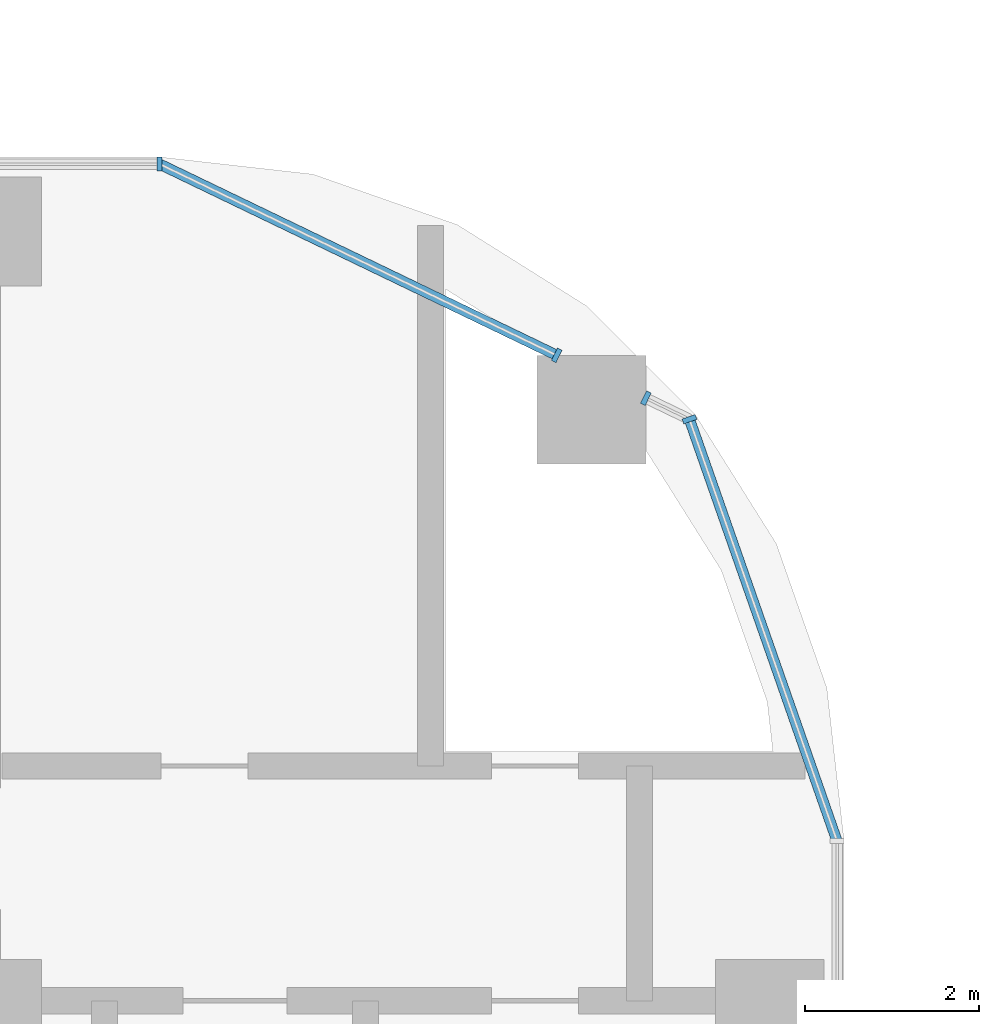
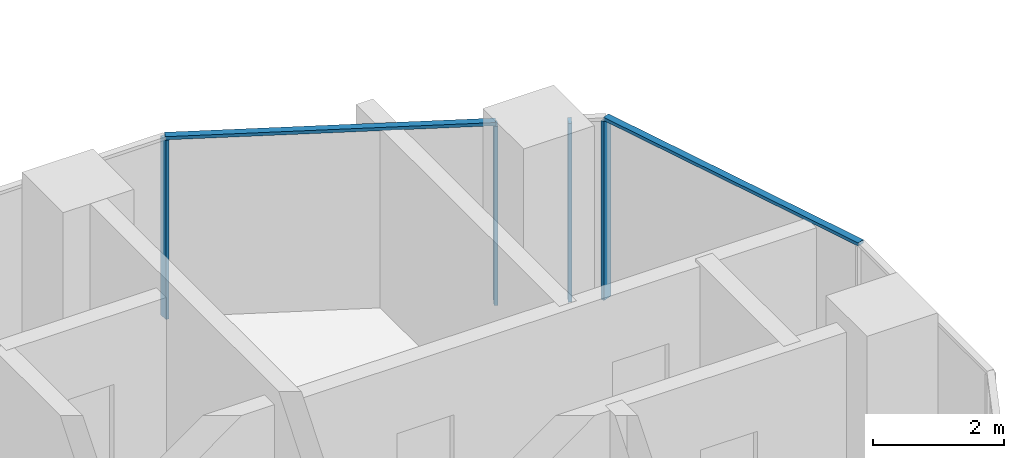
# One storey, part 5 of 35: 6 members, 3 elements without a shape of their own.
"""IFC4 building model written with IfcOpenShell, lengths in metres."""

from ifc_helpers import new_model, si_unit, direction, frame, origin, origin_2d, place, context, subcontext, project, spatial, rectangle, extrude, material, material_profile, profile_set, type_object, element, aggregate, save


model = new_model("IFC4")

# Units and contexts
model_context = context("Model", 3, precision=1e-05, world=origin(), true_north=direction((0.0, 1.0)))
body_context = subcontext(model_context, "Body", "Model", "MODEL_VIEW")
ifc_project = project(units=[si_unit("LENGTHUNIT", "METRE"), si_unit("AREAUNIT", "SQUARE_METRE"), si_unit("VOLUMEUNIT", "CUBIC_METRE"), si_unit("PLANEANGLEUNIT", "RADIAN"), si_unit("MASSUNIT", "GRAM", prefix="KILO")], contexts=[model_context])

# Site, building, storey
site_placement = place(None, origin())
site = spatial("IfcSite", under=ifc_project, at=site_placement, CompositionType="ELEMENT")
building_placement = place(site_placement, origin())
building = spatial("IfcBuilding", under=site, at=building_placement, Name="Ogive Portal Towers", CompositionType="ELEMENT")
storey_placement = place(building_placement, frame((0.0, 0.0, 94.5)))
storey = spatial("IfcBuildingStorey", under=building, at=storey_placement, Name="L22", CompositionType="ELEMENT", Elevation=94.5)

# Curtain wall, member
ifc_material_1 = material(Name="Glass, clear low-iron insulated glazing", Category="glass")
curtain_wall_type = type_object("IfcCurtainWallType", Name="CW FRONT RIBBON 4500", PredefinedType="NOTDEFINED", material=ifc_material_1)
curtain_wall_1_placement = place(storey_placement, origin())
curtain_wall_1 = element("IfcCurtainWall", 1, at=curtain_wall_1_placement, inside=storey, type_object=curtain_wall_type, Name="A:L22:f11:cw0", PredefinedType="NOTDEFINED")
ifc_material_2 = material(Name="Aluminium 6063 anodised", Category="aluminium")
ifc_material_profile_1 = material_profile(ifc_material_2, rectangle(XDim=0.159912109375, YDim=0.06005859375, at=origin_2d()), Name="AL 60x160")
ifc_profile_set_1 = profile_set([ifc_material_profile_1], Name="Aluminium 6063 anodised")
member_type_1 = type_object("IfcMemberType", Name="CW MULLION 60x160", PredefinedType="MULLION", material=ifc_profile_set_1)
member_1_placement = place(storey_placement, frame((87.481689453125, 40.27490234375, 0.0), z_axis=(0.0, 0.0, 1.0), x_axis=(0.0, -1.0, 0.0)))
member_1 = element("IfcMember", 2, at=member_1_placement, type_object=member_type_1, Name="mullion", PredefinedType="MULLION", context=body_context, shape_type="SweptSolid", body=[
    extrude(rectangle(XDim=0.159912109375, YDim=0.06005859375, at=origin_2d()), origin(), (0.0, 0.0, 1.0), 3.340087890625),
])
aggregate(curtain_wall_1, [member_1])

# Curtain wall, members
curtain_wall_2_placement = place(storey_placement, origin())
curtain_wall_2 = element("IfcCurtainWall", 3, at=curtain_wall_2_placement, inside=storey, type_object=curtain_wall_type, Name="A:L22:f09:cwa~0", PredefinedType="NOTDEFINED")
member_2_placement = place(storey_placement, frame((93.57666015625, 37.33984375, 0.0), z_axis=(0.0, 0.0, 1.0), x_axis=(-0.943883330307, -0.33027906196, 0.0)))
member_2 = element("IfcMember", 4, at=member_2_placement, type_object=member_type_1, Name="mullion", PredefinedType="MULLION", context=body_context, shape_type="SweptSolid", body=[
    extrude(rectangle(XDim=0.159912109375, YDim=0.06005859375, at=origin_2d()), origin(), (0.0, 0.0, 1.0), 3.340087890625),
])
member_3_placement = place(storey_placement, frame((93.074951171875, 37.58154296875, 0.0), z_axis=(0.0, 0.0, 1.0), x_axis=(-0.433883739113, -0.900968867905, 0.0)))
member_3 = element("IfcMember", 5, at=member_3_placement, type_object=member_type_1, Name="mullion", PredefinedType="MULLION", context=body_context, shape_type="SweptSolid", body=[
    extrude(rectangle(XDim=0.159912109375, YDim=0.06005859375, at=origin_2d()), origin(), (0.0, 0.0, 1.0), 3.340087890625),
])

# Curtain wall, member
curtain_wall_3_placement = place(storey_placement, origin())
curtain_wall_3 = element("IfcCurtainWall", 6, at=curtain_wall_3_placement, inside=storey, type_object=curtain_wall_type, Name="A:L22:f09:cwa~1", PredefinedType="NOTDEFINED")
member_4_placement = place(storey_placement, frame((92.050048828125, 38.074951171875, 0.0), z_axis=(0.0, 0.0, 1.0), x_axis=(-0.433883739113, -0.900968867905, 0.0)))
member_4 = element("IfcMember", 7, at=member_4_placement, type_object=member_type_1, Name="mullion", PredefinedType="MULLION", context=body_context, shape_type="SweptSolid", body=[
    extrude(rectangle(XDim=0.159912109375, YDim=0.06005859375, at=origin_2d()), origin(), (0.0, 0.0, 1.0), 3.340087890625),
])

# Member
ifc_material_profile_2 = material_profile(ifc_material_2, rectangle(XDim=0.1201171875, YDim=0.06005859375, at=origin_2d()), Name="AL 120x60")
ifc_profile_set_2 = profile_set([ifc_material_profile_2], Name="Aluminium 6063 anodised")
member_type_2 = type_object("IfcMemberType", Name="CW TRANSOM 60x120", PredefinedType="USERDEFINED", material=ifc_profile_set_2)
member_5_placement = place(storey_placement, frame((95.27490234375, 32.486328125, 3.3701171875), z_axis=(-0.330265827813, 0.943887961031, 0.0), x_axis=(-0.943887961031, -0.330265827813, 0.0)))
member_5 = element("IfcMember", 8, at=member_5_placement, type_object=member_type_2, Name="transom", ObjectType="TRANSOM", PredefinedType="USERDEFINED", context=body_context, shape_type="SweptSolid", body=[
    extrude(rectangle(XDim=0.1201171875, YDim=0.06005859375, at=origin_2d()), origin(), (0.0, 0.0, 1.0), 5.14208984375),
])

aggregate(curtain_wall_2, [member_5, member_2, member_3])

member_6_placement = place(storey_placement, frame((92.050048828125, 38.074951171875, 3.3701171875), z_axis=(-0.900973089103, 0.433874973595, 0.0), x_axis=(-0.433874973595, -0.900973089103, 0.0)))
member_6 = element("IfcMember", 9, at=member_6_placement, type_object=member_type_2, Name="transom", ObjectType="TRANSOM", PredefinedType="USERDEFINED", context=body_context, shape_type="SweptSolid", body=[
    extrude(rectangle(XDim=0.1201171875, YDim=0.06005859375, at=origin_2d()), origin(), (0.0, 0.0, 1.0), 5.070556640625),
])

aggregate(curtain_wall_3, [member_6, member_4])

save(model, "model.ifc")
